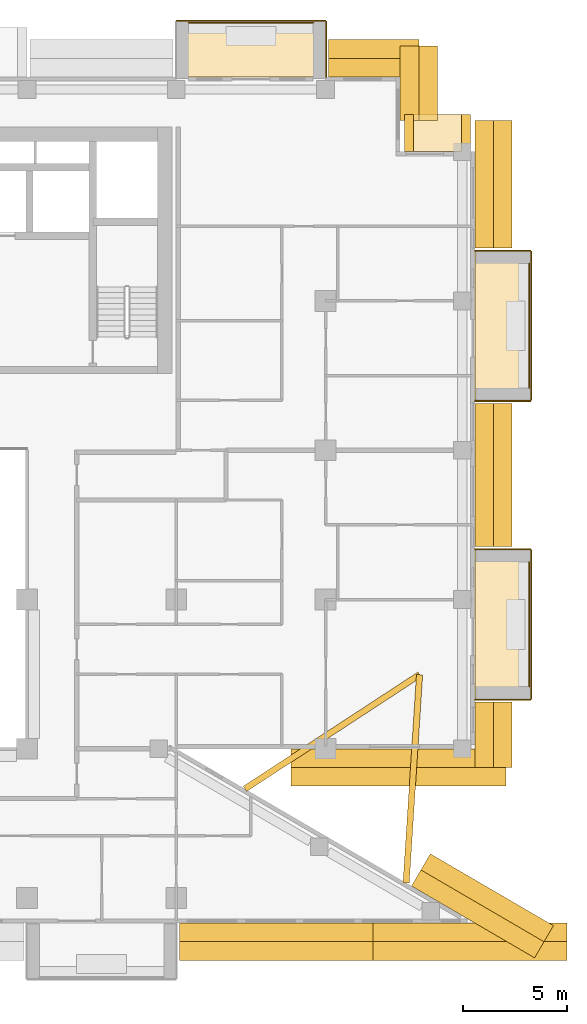
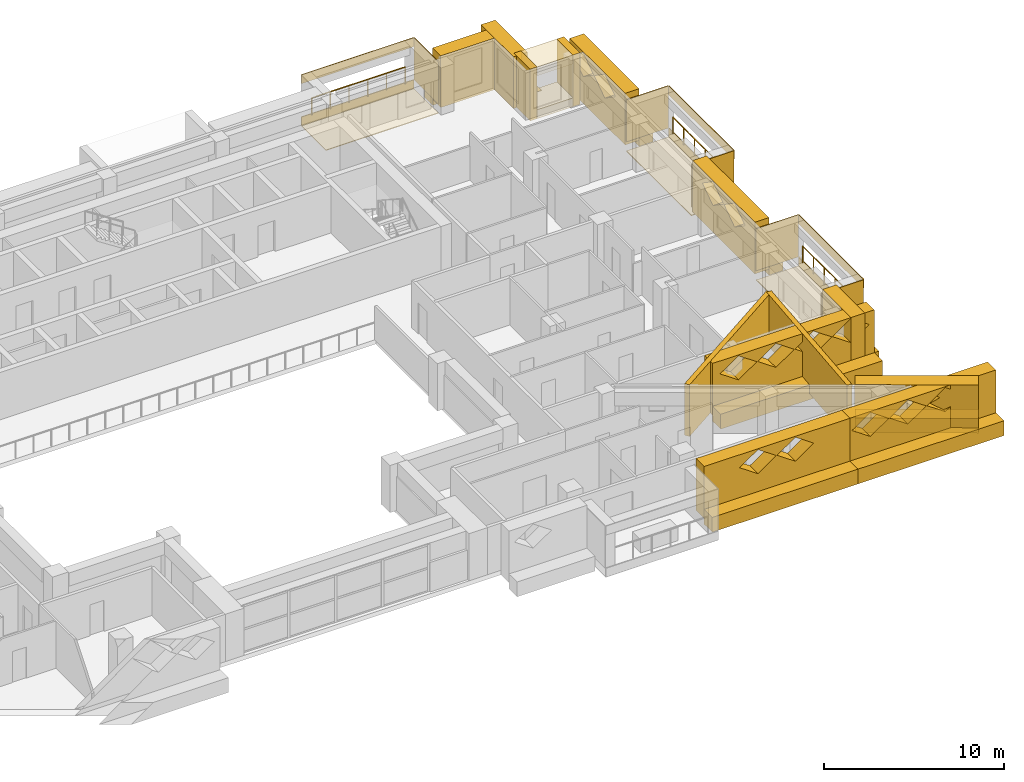
# One storey, part 20 of 20: 38 coverings, 3 railings.
"""IFC4 building model written with IfcOpenShell, lengths in metres."""

from ifc_helpers import new_model, si_unit, direction, frame, origin, origin_2d, place, context, subcontext, project, spatial, polyline, circle, outline, extrude, material, layer, layer_set, type_object, element, save


model = new_model("IFC4")

# Units and contexts
model_context = context("Model", 3, precision=1e-05, world=origin(), true_north=direction((0.0, 1.0)))
body_context = subcontext(model_context, "Body", "Model", "MODEL_VIEW")
ifc_project = project(units=[si_unit("LENGTHUNIT", "METRE"), si_unit("AREAUNIT", "SQUARE_METRE"), si_unit("VOLUMEUNIT", "CUBIC_METRE"), si_unit("PLANEANGLEUNIT", "RADIAN"), si_unit("MASSUNIT", "GRAM", prefix="KILO")], contexts=[model_context])

# Site, building, storey
site_placement = place(None, origin())
site = spatial("IfcSite", under=ifc_project, at=site_placement, CompositionType="ELEMENT")
building_placement = place(site_placement, origin())
building = spatial("IfcBuilding", under=site, at=building_placement, Name="Saffron Iwan Residences", CompositionType="ELEMENT")
storey_placement = place(building_placement, frame((0.0, 0.0, 167.5)))
storey = spatial("IfcBuildingStorey", under=building, at=storey_placement, Name="L44", CompositionType="ELEMENT", Elevation=167.5)

# Railings
ifc_material_1 = material(Name="Stainless steel 316", Category="steel")
railing_type = type_object("IfcRailingType", Name="BALCONY GUARD 1150", PredefinedType="GUARDRAIL", material=ifc_material_1)
for number, where, name in (
    (1, (89.02490234375, 51.0, 0.0), "Balcony guard L44 F2-0"),
    (2, (89.02490234375, 65.39990234375, 0.0), "Balcony guard L44 F2-1"),
):
    element("IfcRailing", number, at=place(storey_placement, frame(where)), inside=storey, type_object=railing_type, Name=name, PredefinedType="GUARDRAIL", context=body_context, shape_type="SweptSolid", body=[
        extrude(circle(Radius=0.02392578125, at=origin_2d()), frame((0.0, 0.0, 1.1259765625), z_axis=(0.0, 1.0, 0.0), x_axis=(-1.0, 0.0, 0.0)), (0.0, 0.0, 1.0), 6.0),
        extrude(circle(Radius=0.02099609375, at=origin_2d()), origin(), (0.0, 0.0, 1.0), 1.101806640625),
        extrude(circle(Radius=0.02099609375, at=origin_2d()), frame((0.0, 1.199951171875, 0.0)), (0.0, 0.0, 1.0), 1.101806640625),
        extrude(circle(Radius=0.02099609375, at=origin_2d()), frame((0.0, 2.39990234375, 0.0)), (0.0, 0.0, 1.0), 1.101806640625),
        extrude(circle(Radius=0.02099609375, at=origin_2d()), frame((0.0, 3.60009765625, 0.0)), (0.0, 0.0, 1.0), 1.101806640625),
        extrude(circle(Radius=0.02099609375, at=origin_2d()), frame((0.0, 4.800048828125, 0.0)), (0.0, 0.0, 1.0), 1.101806640625),
        extrude(circle(Radius=0.02099609375, at=origin_2d()), frame((0.0, 6.0, 0.0)), (0.0, 0.0, 1.0), 1.101806640625),
    ])
railing_placement = place(storey_placement, frame((78.60009765625, 83.02490234375, 0.0)))
element("IfcRailing", 3, at=railing_placement, inside=storey, type_object=railing_type, Name="Balcony guard L44 F5-0", PredefinedType="GUARDRAIL", context=body_context, shape_type="SweptSolid", body=[
    extrude(circle(Radius=0.02392578125, at=origin_2d()), frame((0.0, 0.0, 1.1259765625), z_axis=(-1.0, 0.0, 0.0), x_axis=(0.0, -1.0, 0.0)), (0.0, 0.0, 1.0), 6.0),
    extrude(circle(Radius=0.02099609375, at=origin_2d()), origin(), (0.0, 0.0, 1.0), 1.101806640625),
    extrude(circle(Radius=0.02099609375, at=origin_2d()), frame((-1.199951171875, 0.0, 0.0)), (0.0, 0.0, 1.0), 1.101806640625),
    extrude(circle(Radius=0.02099609375, at=origin_2d()), frame((-2.39990234375, 0.0, 0.0)), (0.0, 0.0, 1.0), 1.101806640625),
    extrude(circle(Radius=0.02099609375, at=origin_2d()), frame((-3.60009765625, 0.0, 0.0)), (0.0, 0.0, 1.0), 1.101806640625),
    extrude(circle(Radius=0.02099609375, at=origin_2d()), frame((-4.800048828125, 0.0, 0.0)), (0.0, 0.0, 1.0), 1.101806640625),
    extrude(circle(Radius=0.02099609375, at=origin_2d()), frame((-6.0, 0.0, 0.0)), (0.0, 0.0, 1.0), 1.101806640625),
])

# Coverings
ifc_material_2 = material(Name="Precast concrete C40/50 white painted", Category="concrete")
ifc_layer_1 = layer(ifc_material_2, 0.050048828125)
ifc_layer_set_1 = layer_set([ifc_layer_1], Name="Precast concrete C40/50 white painted")
covering_type_1 = type_object("IfcCoveringType", Name="FRAME SKIN PRECAST WHITE 50", PredefinedType="CLADDING", material=ifc_layer_set_1)
for number, where, name in (
    (4, (0.0, 0.0, -0.60009765625), "Frame skin slab edge L44 F2-0"),
    (5, (0.0, 0.0, 2.25), "Frame skin fascia L44 F2-0"),
):
    element("IfcCovering", number, at=place(storey_placement, frame(where)), inside=storey, type_object=covering_type_1, Name=name, PredefinedType="CLADDING", context=body_context, shape_type="SweptSolid", body=[
        extrude(outline(polyline([(89.14990234375, 50.39990234375), (89.14990234375, 57.60009765625), (89.10009765625, 57.60009765625), (89.10009765625, 50.39990234375), (89.14990234375, 50.39990234375)])), origin(), (0.0, 0.0, 1.0), 0.60009765625),
    ])
covering_1_placement = place(storey_placement, frame((0.0, 0.0, -0.64990234375)))
element("IfcCovering", 6, at=covering_1_placement, inside=storey, type_object=covering_type_1, Name="Frame skin soffit L44 F2-0", PredefinedType="CLADDING", context=body_context, shape_type="SweptSolid", body=[
    extrude(outline(polyline([(89.10009765625, 50.39990234375), (89.10009765625, 57.60009765625), (86.39990234375, 57.60009765625), (86.39990234375, 50.39990234375), (89.10009765625, 50.39990234375)])), origin(), (0.0, 0.0, 1.0), 0.0498046875),
])
covering_2_placement = place(storey_placement, origin())
element("IfcCovering", 7, at=covering_2_placement, inside=storey, type_object=covering_type_1, Name="Frame skin fin L44 F2-0a", PredefinedType="CLADDING", context=body_context, shape_type="SweptSolid", body=[
    extrude(outline(polyline([(89.10009765625, 50.35009765625), (89.10009765625, 50.39990234375), (86.39990234375, 50.39990234375), (86.39990234375, 50.35009765625), (89.10009765625, 50.35009765625)])), origin(), (0.0, 0.0, 1.0), 2.85009765625),
])
covering_3_placement = place(storey_placement, origin())
element("IfcCovering", 8, at=covering_3_placement, inside=storey, type_object=covering_type_1, Name="Frame skin fin L44 F2-0b", PredefinedType="CLADDING", context=body_context, shape_type="SweptSolid", body=[
    extrude(outline(polyline([(89.10009765625, 57.60009765625), (89.10009765625, 57.64990234375), (86.39990234375, 57.64990234375), (86.39990234375, 57.60009765625), (89.10009765625, 57.60009765625)])), origin(), (0.0, 0.0, 1.0), 2.85009765625),
])
for number, where, name in (
    (9, (0.0, 0.0, -0.60009765625), "Frame skin slab edge L44 F2-1"),
    (10, (0.0, 0.0, 2.25), "Frame skin fascia L44 F2-1"),
):
    element("IfcCovering", number, at=place(storey_placement, frame(where)), inside=storey, type_object=covering_type_1, Name=name, PredefinedType="CLADDING", context=body_context, shape_type="SweptSolid", body=[
        extrude(outline(polyline([(89.14990234375, 64.800048828125), (89.14990234375, 72.0), (89.10009765625, 72.0), (89.10009765625, 64.800048828125), (89.14990234375, 64.800048828125)])), origin(), (0.0, 0.0, 1.0), 0.60009765625),
    ])
covering_4_placement = place(storey_placement, frame((0.0, 0.0, -0.64990234375)))
element("IfcCovering", 11, at=covering_4_placement, inside=storey, type_object=covering_type_1, Name="Frame skin soffit L44 F2-1", PredefinedType="CLADDING", context=body_context, shape_type="SweptSolid", body=[
    extrude(outline(polyline([(89.10009765625, 64.800048828125), (89.10009765625, 72.0), (86.39990234375, 72.0), (86.39990234375, 64.800048828125), (89.10009765625, 64.800048828125)])), origin(), (0.0, 0.0, 1.0), 0.0498046875),
])
covering_5_placement = place(storey_placement, origin())
element("IfcCovering", 12, at=covering_5_placement, inside=storey, type_object=covering_type_1, Name="Frame skin fin L44 F2-1a", PredefinedType="CLADDING", context=body_context, shape_type="SweptSolid", body=[
    extrude(outline(polyline([(89.10009765625, 64.75), (89.10009765625, 64.800048828125), (86.39990234375, 64.800048828125), (86.39990234375, 64.75), (89.10009765625, 64.75)])), origin(), (0.0, 0.0, 1.0), 2.85009765625),
])
covering_6_placement = place(storey_placement, origin())
element("IfcCovering", 13, at=covering_6_placement, inside=storey, type_object=covering_type_1, Name="Frame skin fin L44 F2-1b", PredefinedType="CLADDING", context=body_context, shape_type="SweptSolid", body=[
    extrude(outline(polyline([(89.10009765625, 72.0), (89.10009765625, 72.050048828125), (86.39990234375, 72.050048828125), (86.39990234375, 72.0), (89.10009765625, 72.0)])), origin(), (0.0, 0.0, 1.0), 2.85009765625),
])
for number, where, name in (
    (14, (0.0, 0.0, -0.60009765625), "Frame skin slab edge L44 F5-0"),
    (15, (0.0, 0.0, 2.25), "Frame skin fascia L44 F5-0"),
):
    element("IfcCovering", number, at=place(storey_placement, frame(where)), inside=storey, type_object=covering_type_1, Name=name, PredefinedType="CLADDING", context=body_context, shape_type="SweptSolid", body=[
        extrude(outline(polyline([(79.199951171875, 83.14990234375), (72.0, 83.14990234375), (72.0, 83.10009765625), (79.199951171875, 83.10009765625), (79.199951171875, 83.14990234375)])), origin(), (0.0, 0.0, 1.0), 0.60009765625),
    ])
covering_7_placement = place(storey_placement, frame((0.0, 0.0, -0.64990234375)))
element("IfcCovering", 16, at=covering_7_placement, inside=storey, type_object=covering_type_1, Name="Frame skin soffit L44 F5-0", PredefinedType="CLADDING", context=body_context, shape_type="SweptSolid", body=[
    extrude(outline(polyline([(79.199951171875, 83.10009765625), (72.0, 83.10009765625), (72.0, 80.39990234375), (79.199951171875, 80.39990234375), (79.199951171875, 83.10009765625)])), origin(), (0.0, 0.0, 1.0), 0.0498046875),
])
covering_8_placement = place(storey_placement, origin())
element("IfcCovering", 17, at=covering_8_placement, inside=storey, type_object=covering_type_1, Name="Frame skin fin L44 F5-0a", PredefinedType="CLADDING", context=body_context, shape_type="SweptSolid", body=[
    extrude(outline(polyline([(79.25, 83.10009765625), (79.199951171875, 83.10009765625), (79.199951171875, 80.39990234375), (79.25, 80.39990234375), (79.25, 83.10009765625)])), origin(), (0.0, 0.0, 1.0), 2.85009765625),
])
ifc_material_3 = material(Name="Precast concrete C40/50", Category="concrete")
covering_type_2 = type_object("IfcCoveringType", Name="OUTER SKIN LATTICE SCREEN", PredefinedType="CLADDING", material=ifc_material_3)
covering_9_placement = place(storey_placement, frame((89.283935546875, 37.917724609375, -0.300048828125), z_axis=(0.503803550485, 0.863818257806, 0.0), x_axis=(-0.863818257806, 0.503803550485, 0.0)))
element("IfcCovering", 18, at=covering_9_placement, inside=storey, type_object=covering_type_2, Name="OUTER SKIN lattice screen L44 F0.0", PredefinedType="CLADDING", context=body_context, shape_type="SweptSolid", body=[
    extrude(outline(polyline([(0.0, 0.0), (6.874267578125, 0.0), (6.874267578125, 3.5), (0.0, 3.5), (0.0, 0.0)]), holes=[polyline([(2.15869140625, 2.625), (3.338623046875, 1.81005859375), (4.518798828125, 2.625), (3.338623046875, 3.43994140625), (2.15869140625, 2.625)])]), origin(), (0.0, 0.0, 1.0), 0.89990234375),
])
covering_10_placement = place(storey_placement, frame((77.538818359375, 48.0, -0.300048828125), z_axis=(0.0, -1.0, 0.0), x_axis=(1.0, 0.0, 0.0)))
element("IfcCovering", 19, at=covering_10_placement, inside=storey, type_object=covering_type_2, Name="OUTER SKIN lattice screen L44 F1.0", PredefinedType="CLADDING", context=body_context, shape_type="SweptSolid", body=[
    extrude(outline(polyline([(0.0, 0.0), (10.361328125, 0.0), (10.361328125, 3.5), (0.0, 3.5), (0.0, 0.0)]), holes=[polyline([(0.481201171875, 2.625), (1.661376953125, 1.81005859375), (2.84130859375, 2.625), (1.661376953125, 3.43994140625), (0.481201171875, 2.625)]), polyline([(2.88134765625, 2.625), (4.061279296875, 1.81005859375), (5.2412109375, 2.625), (4.061279296875, 3.43994140625), (2.88134765625, 2.625)]), polyline([(5.28125, 2.625), (6.461181640625, 1.81005859375), (7.641357421875, 2.625), (6.461181640625, 3.43994140625), (5.28125, 2.625)]), polyline([(7.681396484375, 2.625), (8.861328125, 1.81005859375), (10.041259765625, 2.625), (8.861328125, 3.43994140625), (7.681396484375, 2.625)])]), origin(), (0.0, 0.0, 1.0), 0.89990234375),
])
covering_11_placement = place(storey_placement, frame((86.39990234375, 47.10009765625, -0.300048828125), z_axis=(1.0, 0.0, 0.0), x_axis=(0.0, 1.0, 0.0)))
element("IfcCovering", 20, at=covering_11_placement, inside=storey, type_object=covering_type_2, Name="OUTER SKIN lattice screen L44 F2.0", PredefinedType="CLADDING", context=body_context, shape_type="SweptSolid", body=[
    extrude(outline(polyline([(0.0, 0.0), (3.14990234375, 0.0), (3.14990234375, 3.5), (0.0, 3.5), (0.0, 0.0)])), origin(), (0.0, 0.0, 1.0), 0.900146484375),
])
covering_12_placement = place(storey_placement, frame((86.39990234375, 57.75, -0.300048828125), z_axis=(1.0, 0.0, 0.0), x_axis=(0.0, 1.0, 0.0)))
element("IfcCovering", 21, at=covering_12_placement, inside=storey, type_object=covering_type_2, Name="OUTER SKIN lattice screen L44 F2.1", PredefinedType="CLADDING", context=body_context, shape_type="SweptSolid", body=[
    extrude(outline(polyline([(0.0, 0.0), (6.89990234375, 0.0), (6.89990234375, 3.5), (0.0, 3.5), (0.0, 0.0)]), holes=[polyline([(1.070068359375, 2.625), (2.25, 1.81005859375), (3.429931640625, 2.625), (2.25, 3.43994140625), (1.070068359375, 2.625)]), polyline([(3.469970703125, 2.625), (4.64990234375, 1.81005859375), (5.830078125, 2.625), (4.64990234375, 3.43994140625), (3.469970703125, 2.625)])]), origin(), (0.0, 0.0, 1.0), 0.900146484375),
])
covering_13_placement = place(storey_placement, frame((86.39990234375, 72.14990234375, -0.300048828125), z_axis=(1.0, 0.0, 0.0), x_axis=(0.0, 1.0, 0.0)))
element("IfcCovering", 22, at=covering_13_placement, inside=storey, type_object=covering_type_2, Name="OUTER SKIN lattice screen L44 F2.2", PredefinedType="CLADDING", context=body_context, shape_type="SweptSolid", body=[
    extrude(outline(polyline([(0.0, 0.0), (6.14990234375, 0.0), (6.14990234375, 3.5), (0.0, 3.5), (0.0, 0.0)]), holes=[polyline([(1.070068359375, 2.625), (2.25, 1.81005859375), (3.429931640625, 2.625), (2.25, 3.43994140625), (1.070068359375, 2.625)]), polyline([(3.469970703125, 2.625), (4.64990234375, 1.81005859375), (5.830078125, 2.625), (4.64990234375, 3.43994140625), (3.469970703125, 2.625)])]), origin(), (0.0, 0.0, 1.0), 0.900146484375),
])
covering_14_placement = place(storey_placement, frame((82.800048828125, 78.300048828125, -0.300048828125), z_axis=(1.0, 0.0, 0.0), x_axis=(0.0, 1.0, 0.0)))
element("IfcCovering", 23, at=covering_14_placement, inside=storey, type_object=covering_type_2, Name="OUTER SKIN lattice screen L44 F4.0", PredefinedType="CLADDING", context=body_context, shape_type="SweptSolid", body=[
    extrude(outline(polyline([(0.0, 0.0), (3.60009765625, 0.0), (3.60009765625, 3.5), (0.0, 3.5), (0.0, 0.0)])), origin(), (0.0, 0.0, 1.0), 0.89990234375),
])
covering_15_placement = place(storey_placement, frame((83.699951171875, 80.39990234375, -0.300048828125), z_axis=(0.0, 1.0, 0.0), x_axis=(-1.0, 0.0, 0.0)))
element("IfcCovering", 24, at=covering_15_placement, inside=storey, type_object=covering_type_2, Name="OUTER SKIN lattice screen L44 F5.0", PredefinedType="CLADDING", context=body_context, shape_type="SweptSolid", body=[
    extrude(outline(polyline([(0.0, 0.0), (4.35009765625, 0.0), (4.35009765625, 3.5), (0.0, 3.5), (0.0, 0.0)])), origin(), (0.0, 0.0, 1.0), 0.900146484375),
])
covering_16_placement = place(storey_placement, frame((72.14990234375, 39.60009765625, -0.300048828125), z_axis=(0.0, -1.0, 0.0), x_axis=(1.0, 0.0, 0.0)))
element("IfcCovering", 25, at=covering_16_placement, inside=storey, type_object=covering_type_2, Name="OUTER SKIN lattice screen L44 F11.3", PredefinedType="CLADDING", context=body_context, shape_type="SweptSolid", body=[
    extrude(outline(polyline([(0.0, 0.0), (9.34423828125, 0.0), (9.34423828125, 3.5), (0.0, 3.5), (0.0, 0.0)]), holes=[polyline([(2.27001953125, 2.625), (3.449951171875, 1.81005859375), (4.6298828125, 2.625), (3.449951171875, 3.43994140625), (2.27001953125, 2.625)]), polyline([(4.669921875, 2.625), (5.85009765625, 1.81005859375), (7.030029296875, 2.625), (5.85009765625, 3.43994140625), (4.669921875, 2.625)])]), origin(), (0.0, 0.0, 1.0), 0.900146484375),
])
covering_17_placement = place(storey_placement, frame((81.494384765625, 39.60009765625, -0.300048828125), z_axis=(0.0, -1.0, 0.0), x_axis=(1.0, 0.0, 0.0)))
element("IfcCovering", 26, at=covering_17_placement, inside=storey, type_object=covering_type_2, Name="OUTER SKIN lattice screen L44 F11.4", PredefinedType="CLADDING", context=body_context, shape_type="SweptSolid", body=[
    extrude(outline(polyline([(0.0, 0.0), (9.344482421875, 0.0), (9.344482421875, 3.5), (0.0, 3.5), (0.0, 0.0)]), holes=[polyline([(0.125732421875, 2.625), (1.3056640625, 1.81005859375), (2.485595703125, 2.625), (1.3056640625, 3.43994140625), (0.125732421875, 2.625)]), polyline([(2.525634765625, 2.625), (3.705810546875, 1.81005859375), (4.8857421875, 2.625), (3.705810546875, 3.43994140625), (2.525634765625, 2.625)]), polyline([(4.92578125, 2.625), (6.105712890625, 1.81005859375), (7.28564453125, 2.625), (6.105712890625, 3.43994140625), (4.92578125, 2.625)])]), origin(), (0.0, 0.0, 1.0), 0.900146484375),
])
ifc_layer_2 = layer(ifc_material_2, 0.300048828125)
ifc_layer_set_2 = layer_set([ifc_layer_2], Name="Precast concrete C40/50 white painted")
covering_type_3 = type_object("IfcCoveringType", Name="PROW NOSE BLADE PRECAST WHITE", PredefinedType="CLADDING", material=ifc_layer_set_2)
covering_18_placement = place(storey_placement, frame((0.0, 0.0, -0.300048828125)))
element("IfcCovering", 27, at=covering_18_placement, inside=storey, type_object=covering_type_3, Name="Prow nose blade L44 a", PredefinedType="CLADDING", context=body_context, shape_type="SweptSolid", body=[
    extrude(outline(polyline([(83.23681640625, 41.52294921875), (83.884521484375, 51.564453125), (83.585205078125, 51.583740234375), (82.937255859375, 41.542236328125), (83.23681640625, 41.52294921875)])), origin(), (0.0, 0.0, 1.0), 3.5),
])
covering_19_placement = place(storey_placement, frame((0.0, 0.0, -0.300048828125)))
element("IfcCovering", 28, at=covering_19_placement, inside=storey, type_object=covering_type_3, Name="Prow nose blade L44 b", PredefinedType="CLADDING", context=body_context, shape_type="SweptSolid", body=[
    extrude(outline(polyline([(75.39501953125, 45.94189453125), (83.81689453125, 51.448486328125), (83.65283203125, 51.69970703125), (75.23095703125, 46.193115234375), (75.39501953125, 45.94189453125)])), origin(), (0.0, 0.0, 1.0), 3.5),
])
ifc_layer_3 = layer(ifc_material_2, 0.89990234375)
ifc_layer_set_3 = layer_set([ifc_layer_3], Name="Precast concrete C40/50 white painted")
covering_type_4 = type_object("IfcCoveringType", Name="WHITE EDGE BAND 900 x 1000", PredefinedType="CLADDING", material=ifc_layer_set_3)
covering_20_placement = place(storey_placement, frame((0.0, 0.0, -0.699951171875)))
element("IfcCovering", 29, at=covering_20_placement, inside=storey, type_object=covering_type_4, Name="White edge band L44 F0.0", PredefinedType="CLADDING", context=body_context, shape_type="SweptSolid", body=[
    extrude(outline(polyline([(90.19091796875, 39.472412109375), (84.253173828125, 42.936279296875), (83.799560546875, 42.15869140625), (89.7373046875, 38.695068359375), (90.19091796875, 39.472412109375)])), origin(), (0.0, 0.0, 1.0), 1.0),
])
covering_21_placement = place(storey_placement, frame((0.0, 0.0, -0.699951171875)))
element("IfcCovering", 30, at=covering_21_placement, inside=storey, type_object=covering_type_4, Name="White edge band L44 F1.0", PredefinedType="CLADDING", context=body_context, shape_type="SweptSolid", body=[
    extrude(outline(polyline([(77.538818359375, 46.199951171875), (87.89990234375, 46.199951171875), (87.89990234375, 47.10009765625), (77.538818359375, 47.10009765625), (77.538818359375, 46.199951171875)])), origin(), (0.0, 0.0, 1.0), 1.0),
])
covering_22_placement = place(storey_placement, frame((0.0, 0.0, -0.699951171875)))
element("IfcCovering", 31, at=covering_22_placement, inside=storey, type_object=covering_type_4, Name="White edge band L44 F2.0", PredefinedType="CLADDING", context=body_context, shape_type="SweptSolid", body=[
    extrude(outline(polyline([(88.199951171875, 47.10009765625), (88.199951171875, 50.25), (87.300048828125, 50.25), (87.300048828125, 47.10009765625), (88.199951171875, 47.10009765625)])), origin(), (0.0, 0.0, 1.0), 1.0),
])
covering_23_placement = place(storey_placement, frame((0.0, 0.0, -0.699951171875)))
element("IfcCovering", 32, at=covering_23_placement, inside=storey, type_object=covering_type_4, Name="White edge band L44 F2.1", PredefinedType="CLADDING", context=body_context, shape_type="SweptSolid", body=[
    extrude(outline(polyline([(88.199951171875, 57.75), (88.199951171875, 64.64990234375), (87.300048828125, 64.64990234375), (87.300048828125, 57.75), (88.199951171875, 57.75)])), origin(), (0.0, 0.0, 1.0), 1.0),
])
covering_24_placement = place(storey_placement, frame((0.0, 0.0, -0.699951171875)))
element("IfcCovering", 33, at=covering_24_placement, inside=storey, type_object=covering_type_4, Name="White edge band L44 F2.2", PredefinedType="CLADDING", context=body_context, shape_type="SweptSolid", body=[
    extrude(outline(polyline([(88.199951171875, 72.14990234375), (88.199951171875, 78.300048828125), (87.300048828125, 78.300048828125), (87.300048828125, 72.14990234375), (88.199951171875, 72.14990234375)])), origin(), (0.0, 0.0, 1.0), 1.0),
])
covering_25_placement = place(storey_placement, frame((0.0, 0.0, -0.699951171875)))
element("IfcCovering", 34, at=covering_25_placement, inside=storey, type_object=covering_type_4, Name="White edge band L44 F4.0", PredefinedType="CLADDING", context=body_context, shape_type="SweptSolid", body=[
    extrude(outline(polyline([(84.60009765625, 78.300048828125), (84.60009765625, 81.89990234375), (83.699951171875, 81.89990234375), (83.699951171875, 78.300048828125), (84.60009765625, 78.300048828125)])), origin(), (0.0, 0.0, 1.0), 1.0),
])
covering_26_placement = place(storey_placement, frame((0.0, 0.0, -0.699951171875)))
element("IfcCovering", 35, at=covering_26_placement, inside=storey, type_object=covering_type_4, Name="White edge band L44 F5.0", PredefinedType="CLADDING", context=body_context, shape_type="SweptSolid", body=[
    extrude(outline(polyline([(83.699951171875, 82.199951171875), (79.35009765625, 82.199951171875), (79.35009765625, 81.300048828125), (83.699951171875, 81.300048828125), (83.699951171875, 82.199951171875)])), origin(), (0.0, 0.0, 1.0), 1.0),
])
covering_27_placement = place(storey_placement, frame((0.0, 0.0, -0.699951171875)))
element("IfcCovering", 36, at=covering_27_placement, inside=storey, type_object=covering_type_4, Name="White edge band L44 F11.3", PredefinedType="CLADDING", context=body_context, shape_type="SweptSolid", body=[
    extrude(outline(polyline([(72.14990234375, 37.800048828125), (81.494384765625, 37.800048828125), (81.494384765625, 38.699951171875), (72.14990234375, 38.699951171875), (72.14990234375, 37.800048828125)])), origin(), (0.0, 0.0, 1.0), 1.0),
])
covering_28_placement = place(storey_placement, frame((0.0, 0.0, -0.699951171875)))
element("IfcCovering", 37, at=covering_28_placement, inside=storey, type_object=covering_type_4, Name="White edge band L44 F11.4", PredefinedType="CLADDING", context=body_context, shape_type="SweptSolid", body=[
    extrude(outline(polyline([(81.494384765625, 37.800048828125), (90.838623046875, 37.800048828125), (90.838623046875, 38.699951171875), (81.494384765625, 38.699951171875), (81.494384765625, 37.800048828125)])), origin(), (0.0, 0.0, 1.0), 1.0),
])
covering_type_5 = type_object("IfcCoveringType", Name="WHITE SUN FRAME PRECAST", PredefinedType="CLADDING", material=ifc_material_2)
for number, where, z_axis, x_axis, name in (
    (38, (86.199951171875, 76.800048828125, -0.300048828125), (0.0, 1.0, 0.0), (-1.0, 0.0, 0.0), "Sun frame L44 F3 0.2a"),
    (39, (83.449951171875, 76.800048828125, -0.300048828125), (0.0, 1.0, 0.0), (-1.0, 0.0, 0.0), "Sun frame L44 F3 0.2b"),
):
    element("IfcCovering", number, at=place(storey_placement, frame(where, z_axis=z_axis, x_axis=x_axis)), inside=storey, type_object=covering_type_5, Name=name, PredefinedType="CLADDING", context=body_context, shape_type="SweptSolid", body=[
        extrude(outline(polyline([(0.0, 0.0), (0.449951171875, 0.0), (0.449951171875, 3.5), (0.0, 3.5), (0.0, 0.0)])), origin(), (0.0, 0.0, 1.0), 1.800048828125),
    ])
for number, where, z_axis, x_axis, name in (
    (40, (85.75, 76.800048828125, 2.60009765625), (0.0, 1.0, 0.0), (-1.0, 0.0, 0.0), "Sun frame L44 F3 0.2h"),
    (41, (85.75, 76.800048828125, -0.300048828125), (0.0, 1.0, 0.0), (-1.0, 0.0, 0.0), "Sun frame L44 F3 0.2s"),
):
    element("IfcCovering", number, at=place(storey_placement, frame(where, z_axis=z_axis, x_axis=x_axis)), inside=storey, type_object=covering_type_5, Name=name, PredefinedType="CLADDING", context=body_context, shape_type="SweptSolid", body=[
        extrude(outline(polyline([(0.0, 0.0), (2.300048828125, 0.0), (2.300048828125, 0.60009765625), (0.0, 0.60009765625), (0.0, 0.0)])), origin(), (0.0, 0.0, 1.0), 1.800048828125),
    ])

save(model, "model.ifc")
